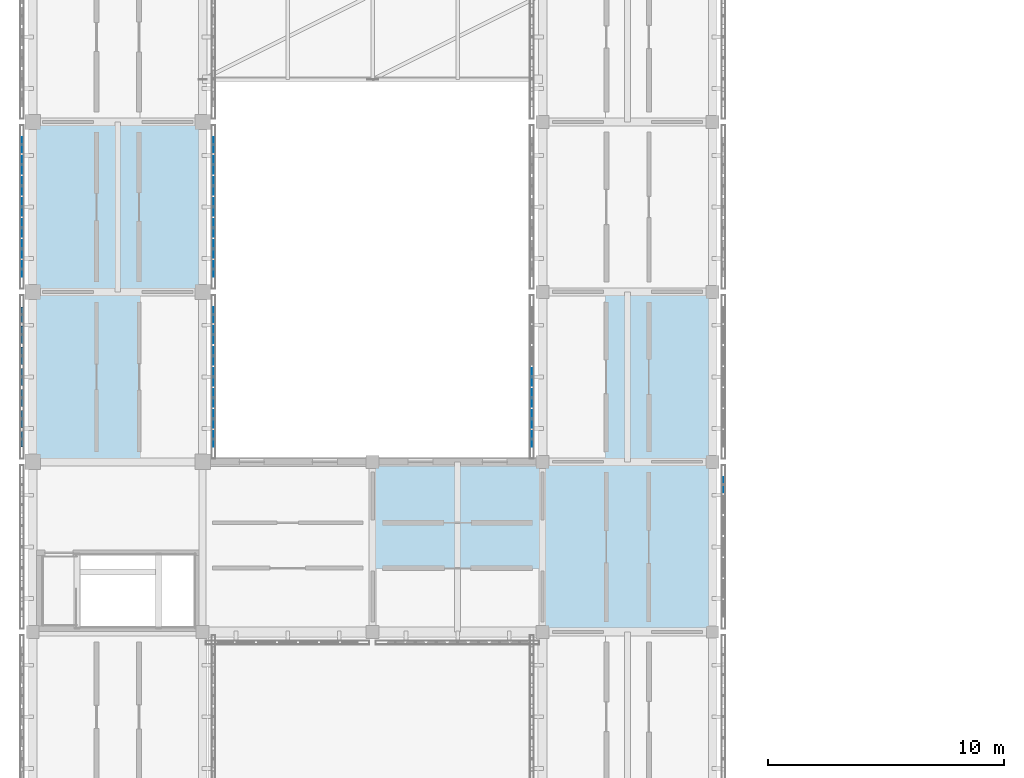
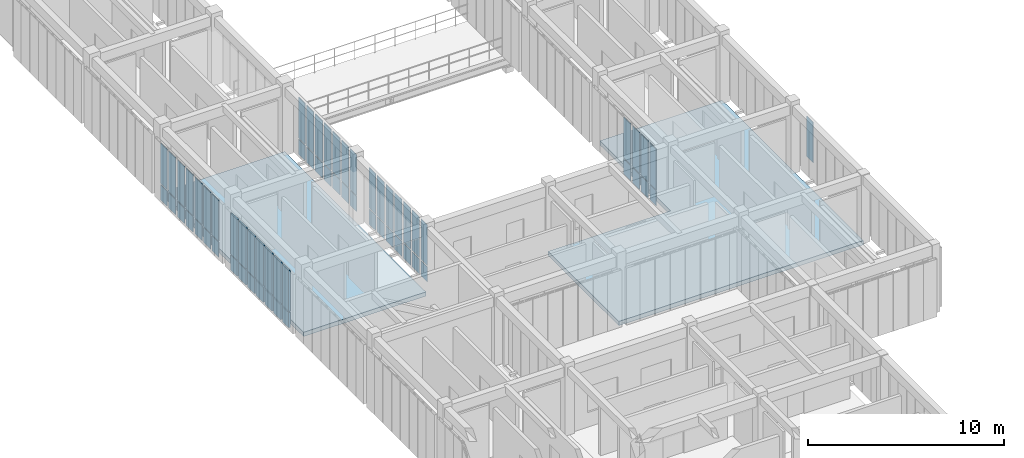
# One storey, part 49 of 91: 65 plates, 2 slabs, 6 elements without a shape of their own.
"""IFC4 building model written with IfcOpenShell, lengths in metres."""

from ifc_helpers import new_model, si_unit, direction, frame, origin, origin_2d, place, context, subcontext, project, spatial, polyline, rectangle, outline, extrude, material, layer, layer_set, type_object, element, aggregate, save


model = new_model("IFC4")

# Units and contexts
model_context = context("Model", 3, precision=1e-05, world=origin(), true_north=direction((0.0, 1.0)))
body_context = subcontext(model_context, "Body", "Model", "MODEL_VIEW")
ifc_project = project(units=[si_unit("LENGTHUNIT", "METRE"), si_unit("AREAUNIT", "SQUARE_METRE"), si_unit("VOLUMEUNIT", "CUBIC_METRE"), si_unit("PLANEANGLEUNIT", "RADIAN"), si_unit("MASSUNIT", "GRAM", prefix="KILO")], contexts=[model_context])

# Site, building, storey
site_placement = place(None, origin())
site = spatial("IfcSite", under=ifc_project, at=site_placement, CompositionType="ELEMENT")
building_placement = place(site_placement, origin())
building = spatial("IfcBuilding", under=site, at=building_placement, Name="Aldebral Square Health Centre", CompositionType="ELEMENT")
storey_placement = place(building_placement, frame((0.0, 0.0, 9.0)))
storey = spatial("IfcBuildingStorey", under=building, at=storey_placement, Name="L02", CompositionType="ELEMENT", Elevation=9.0)

# Curtain wall, plates
ifc_material_1 = material(Name="Aluminium and low-E solar glass", Category="aluminium")
curtain_wall_type = type_object("IfcCurtainWallType", Name="CW-FIN-SYS", PredefinedType="USERDEFINED", material=ifc_material_1)
curtain_wall_1_placement = place(storey_placement, origin())
curtain_wall_1 = element("IfcCurtainWall", 1, at=curtain_wall_1_placement, inside=storey, type_object=curtain_wall_type, Name="L02 V4 finned curtain wall L02-V4-00-09-E", ObjectType="SOLAR_CURTAIN_WALL", PredefinedType="USERDEFINED")
ifc_material_2 = material(Name="Solar-control low-E double glass", Category="glass")
ifc_layer_1 = layer(ifc_material_2, 0.02001953125, Name="Solar-control low-E double glass", Category="glass")
ifc_layer_set_1 = layer_set([ifc_layer_1], Name="Solar-control low-E double glass")
plate_type_1 = type_object("IfcPlateType", Name="CWP-GLZ-1", PredefinedType="CURTAIN_PANEL", material=ifc_layer_set_1)
plate_1_placement = place(storey_placement, frame((7.659912109375, 65.765625, 0.074951171875), z_axis=(0.0, 0.0, 1.0), x_axis=(0.0, 1.0, 0.0)))
plate_1 = element("IfcPlate", 2, at=plate_1_placement, type_object=plate_type_1, Name="CW1 panel 1.1", PredefinedType="CURTAIN_PANEL", context=body_context, shape_type="SweptSolid", body=[
    extrude(rectangle(XDim=0.6513671875, YDim=0.02001953125, at=origin_2d()), origin(), (0.0, 0.0, 1.0), 0.9375),
])
plate_2_placement = place(storey_placement, frame((7.659912109375, 65.765625, 1.08740234375), z_axis=(0.0, 0.0, 1.0), x_axis=(0.0, 1.0, 0.0)))
plate_2 = element("IfcPlate", 3, at=plate_2_placement, type_object=plate_type_1, Name="CW1 panel 1.2", PredefinedType="CURTAIN_PANEL", context=body_context, shape_type="SweptSolid", body=[
    extrude(rectangle(XDim=0.6513671875, YDim=0.02001953125, at=origin_2d()), origin(), (0.0, 0.0, 1.0), 2.527587890625),
])
plate_3_placement = place(storey_placement, frame((7.659912109375, 66.6171875, 0.074951171875), z_axis=(0.0, 0.0, 1.0), x_axis=(0.0, 1.0, 0.0)))
plate_3 = element("IfcPlate", 4, at=plate_3_placement, type_object=plate_type_1, Name="CW1 panel 2.1", PredefinedType="CURTAIN_PANEL", context=body_context, shape_type="SweptSolid", body=[
    extrude(rectangle(XDim=0.7314453125, YDim=0.02001953125, at=origin_2d()), origin(), (0.0, 0.0, 1.0), 0.9375),
])
plate_4_placement = place(storey_placement, frame((7.659912109375, 66.6171875, 1.08740234375), z_axis=(0.0, 0.0, 1.0), x_axis=(0.0, 1.0, 0.0)))
plate_4 = element("IfcPlate", 5, at=plate_4_placement, type_object=plate_type_1, Name="CW1 panel 2.2", PredefinedType="CURTAIN_PANEL", context=body_context, shape_type="SweptSolid", body=[
    extrude(rectangle(XDim=0.7314453125, YDim=0.02001953125, at=origin_2d()), origin(), (0.0, 0.0, 1.0), 2.527587890625),
])
plate_5_placement = place(storey_placement, frame((7.659912109375, 67.508544921875, 0.074951171875), z_axis=(0.0, 0.0, 1.0), x_axis=(0.0, 1.0, 0.0)))
plate_5 = element("IfcPlate", 6, at=plate_5_placement, type_object=plate_type_1, Name="CW1 panel 3.1", PredefinedType="CURTAIN_PANEL", context=body_context, shape_type="SweptSolid", body=[
    extrude(rectangle(XDim=0.7314453125, YDim=0.02001953125, at=origin_2d()), origin(), (0.0, 0.0, 1.0), 0.9375),
])
plate_6_placement = place(storey_placement, frame((7.659912109375, 67.508544921875, 1.08740234375), z_axis=(0.0, 0.0, 1.0), x_axis=(0.0, 1.0, 0.0)))
plate_6 = element("IfcPlate", 7, at=plate_6_placement, type_object=plate_type_1, Name="CW1 panel 3.2", PredefinedType="CURTAIN_PANEL", context=body_context, shape_type="SweptSolid", body=[
    extrude(rectangle(XDim=0.7314453125, YDim=0.02001953125, at=origin_2d()), origin(), (0.0, 0.0, 1.0), 2.527587890625),
])
plate_7_placement = place(storey_placement, frame((7.659912109375, 68.39990234375, 0.074951171875), z_axis=(0.0, 0.0, 1.0), x_axis=(0.0, 1.0, 0.0)))
plate_7 = element("IfcPlate", 8, at=plate_7_placement, type_object=plate_type_1, Name="CW1 panel 4.1", PredefinedType="CURTAIN_PANEL", context=body_context, shape_type="SweptSolid", body=[
    extrude(rectangle(XDim=0.7314453125, YDim=0.02001953125, at=origin_2d()), origin(), (0.0, 0.0, 1.0), 0.9375),
])
plate_8_placement = place(storey_placement, frame((7.659912109375, 68.39990234375, 1.08740234375), z_axis=(0.0, 0.0, 1.0), x_axis=(0.0, 1.0, 0.0)))
plate_8 = element("IfcPlate", 9, at=plate_8_placement, type_object=plate_type_1, Name="CW1 panel 4.2", PredefinedType="CURTAIN_PANEL", context=body_context, shape_type="SweptSolid", body=[
    extrude(rectangle(XDim=0.7314453125, YDim=0.02001953125, at=origin_2d()), origin(), (0.0, 0.0, 1.0), 2.527587890625),
])
plate_9_placement = place(storey_placement, frame((7.659912109375, 69.29150390625, 0.074951171875), z_axis=(0.0, 0.0, 1.0), x_axis=(0.0, 1.0, 0.0)))
plate_9 = element("IfcPlate", 10, at=plate_9_placement, type_object=plate_type_1, Name="CW1 panel 5.1", PredefinedType="CURTAIN_PANEL", context=body_context, shape_type="SweptSolid", body=[
    extrude(rectangle(XDim=0.7314453125, YDim=0.02001953125, at=origin_2d()), origin(), (0.0, 0.0, 1.0), 0.9375),
])
plate_10_placement = place(storey_placement, frame((7.659912109375, 69.29150390625, 1.08740234375), z_axis=(0.0, 0.0, 1.0), x_axis=(0.0, 1.0, 0.0)))
plate_10 = element("IfcPlate", 11, at=plate_10_placement, type_object=plate_type_1, Name="CW1 panel 5.2", PredefinedType="CURTAIN_PANEL", context=body_context, shape_type="SweptSolid", body=[
    extrude(rectangle(XDim=0.7314453125, YDim=0.02001953125, at=origin_2d()), origin(), (0.0, 0.0, 1.0), 2.527587890625),
])
plate_11_placement = place(storey_placement, frame((7.659912109375, 70.182861328125, 0.074951171875), z_axis=(0.0, 0.0, 1.0), x_axis=(0.0, 1.0, 0.0)))
plate_11 = element("IfcPlate", 12, at=plate_11_placement, type_object=plate_type_1, Name="CW1 panel 6.1", PredefinedType="CURTAIN_PANEL", context=body_context, shape_type="SweptSolid", body=[
    extrude(rectangle(XDim=0.7314453125, YDim=0.02001953125, at=origin_2d()), origin(), (0.0, 0.0, 1.0), 0.9375),
])
plate_12_placement = place(storey_placement, frame((7.659912109375, 70.182861328125, 1.08740234375), z_axis=(0.0, 0.0, 1.0), x_axis=(0.0, 1.0, 0.0)))
plate_12 = element("IfcPlate", 13, at=plate_12_placement, type_object=plate_type_1, Name="CW1 panel 6.2", PredefinedType="CURTAIN_PANEL", context=body_context, shape_type="SweptSolid", body=[
    extrude(rectangle(XDim=0.7314453125, YDim=0.02001953125, at=origin_2d()), origin(), (0.0, 0.0, 1.0), 2.527587890625),
])
plate_13_placement = place(storey_placement, frame((7.659912109375, 71.0341796875, 0.074951171875), z_axis=(0.0, 0.0, 1.0), x_axis=(0.0, 1.0, 0.0)))
plate_13 = element("IfcPlate", 14, at=plate_13_placement, type_object=plate_type_1, Name="CW1 panel 7.1", PredefinedType="CURTAIN_PANEL", context=body_context, shape_type="SweptSolid", body=[
    extrude(rectangle(XDim=0.6513671875, YDim=0.02001953125, at=origin_2d()), origin(), (0.0, 0.0, 1.0), 0.9375),
])
plate_14_placement = place(storey_placement, frame((7.659912109375, 71.0341796875, 1.08740234375), z_axis=(0.0, 0.0, 1.0), x_axis=(0.0, 1.0, 0.0)))
plate_14 = element("IfcPlate", 15, at=plate_14_placement, type_object=plate_type_1, Name="CW1 panel 7.2", PredefinedType="CURTAIN_PANEL", context=body_context, shape_type="SweptSolid", body=[
    extrude(rectangle(XDim=0.6513671875, YDim=0.02001953125, at=origin_2d()), origin(), (0.0, 0.0, 1.0), 2.527587890625),
])
aggregate(curtain_wall_1, [plate_1, plate_2, plate_3, plate_4, plate_5, plate_6, plate_7, plate_8, plate_9, plate_10, plate_11, plate_12, plate_13, plate_14])

# Curtain wall, plate
curtain_wall_2_placement = place(storey_placement, origin())
curtain_wall_2 = element("IfcCurtainWall", 16, at=curtain_wall_2_placement, inside=storey, type_object=curtain_wall_type, Name="L02 V4 finned curtain wall L02-V4-03-08-E", ObjectType="SOLAR_CURTAIN_WALL", PredefinedType="USERDEFINED")
plate_15_placement = place(storey_placement, frame((29.260009765625, 63.834228515625, 1.08740234375), z_axis=(0.0, 0.0, 1.0), x_axis=(0.0, 1.0, 0.0)))
plate_15 = element("IfcPlate", 17, at=plate_15_placement, type_object=plate_type_1, Name="CW1 panel 7.2", PredefinedType="CURTAIN_PANEL", context=body_context, shape_type="SweptSolid", body=[
    extrude(rectangle(XDim=0.6513671875, YDim=0.02001953125, at=origin_2d()), origin(), (0.0, 0.0, 1.0), 2.527587890625),
])
aggregate(curtain_wall_2, [plate_15])

# Curtain wall, plates
curtain_wall_3_placement = place(storey_placement, origin())
curtain_wall_3 = element("IfcCurtainWall", 18, at=curtain_wall_3_placement, inside=storey, type_object=curtain_wall_type, Name="L02 V4 finned curtain wall L02-V4-00-10-W", ObjectType="SOLAR_CURTAIN_WALL", PredefinedType="USERDEFINED")
ifc_layer_2 = layer(ifc_material_2, 0.030029296875, Name="Solar-control low-E double glass", Category="glass")
ifc_layer_set_2 = layer_set([ifc_layer_2], Name="Solar-control low-E double glass")
plate_type_2 = type_object("IfcPlateType", Name="CWP-GLZ-2", PredefinedType="CURTAIN_PANEL", material=ifc_layer_set_2)
plate_16_placement = place(storey_placement, frame((-0.4599609375, 78.234375, 0.074951171875), z_axis=(0.0, 0.0, 1.0), x_axis=(0.0, -1.0, 0.0)))
plate_16 = element("IfcPlate", 19, at=plate_16_placement, type_object=plate_type_2, Name="CW1 panel 1.1", PredefinedType="CURTAIN_PANEL", context=body_context, shape_type="SweptSolid", body=[
    extrude(rectangle(XDim=0.6513671875, YDim=0.030029296875, at=origin_2d()), origin(), (0.0, 0.0, 1.0), 0.9375),
])
plate_17_placement = place(storey_placement, frame((-0.4599609375, 78.234375, 1.08740234375), z_axis=(0.0, 0.0, 1.0), x_axis=(0.0, -1.0, 0.0)))
plate_17 = element("IfcPlate", 20, at=plate_17_placement, type_object=plate_type_2, Name="CW1 panel 1.2", PredefinedType="CURTAIN_PANEL", context=body_context, shape_type="SweptSolid", body=[
    extrude(rectangle(XDim=0.6513671875, YDim=0.030029296875, at=origin_2d()), origin(), (0.0, 0.0, 1.0), 2.527587890625),
])
plate_18_placement = place(storey_placement, frame((-0.4599609375, 77.3828125, 0.074951171875), z_axis=(0.0, 0.0, 1.0), x_axis=(0.0, -1.0, 0.0)))
plate_18 = element("IfcPlate", 21, at=plate_18_placement, type_object=plate_type_2, Name="CW1 panel 2.1", PredefinedType="CURTAIN_PANEL", context=body_context, shape_type="SweptSolid", body=[
    extrude(rectangle(XDim=0.7314453125, YDim=0.030029296875, at=origin_2d()), origin(), (0.0, 0.0, 1.0), 0.9375),
])
plate_19_placement = place(storey_placement, frame((-0.4599609375, 77.3828125, 1.08740234375), z_axis=(0.0, 0.0, 1.0), x_axis=(0.0, -1.0, 0.0)))
plate_19 = element("IfcPlate", 22, at=plate_19_placement, type_object=plate_type_2, Name="CW1 panel 2.2", PredefinedType="CURTAIN_PANEL", context=body_context, shape_type="SweptSolid", body=[
    extrude(rectangle(XDim=0.7314453125, YDim=0.030029296875, at=origin_2d()), origin(), (0.0, 0.0, 1.0), 2.527587890625),
])
plate_20_placement = place(storey_placement, frame((-0.4599609375, 76.491455078125, 0.074951171875), z_axis=(0.0, 0.0, 1.0), x_axis=(0.0, -1.0, 0.0)))
plate_20 = element("IfcPlate", 23, at=plate_20_placement, type_object=plate_type_2, Name="CW1 panel 3.1", PredefinedType="CURTAIN_PANEL", context=body_context, shape_type="SweptSolid", body=[
    extrude(rectangle(XDim=0.7314453125, YDim=0.030029296875, at=origin_2d()), origin(), (0.0, 0.0, 1.0), 0.9375),
])
plate_21_placement = place(storey_placement, frame((-0.4599609375, 76.491455078125, 1.08740234375), z_axis=(0.0, 0.0, 1.0), x_axis=(0.0, -1.0, 0.0)))
plate_21 = element("IfcPlate", 24, at=plate_21_placement, type_object=plate_type_2, Name="CW1 panel 3.2", PredefinedType="CURTAIN_PANEL", context=body_context, shape_type="SweptSolid", body=[
    extrude(rectangle(XDim=0.7314453125, YDim=0.030029296875, at=origin_2d()), origin(), (0.0, 0.0, 1.0), 2.527587890625),
])
plate_22_placement = place(storey_placement, frame((-0.4599609375, 75.60009765625, 0.074951171875), z_axis=(0.0, 0.0, 1.0), x_axis=(0.0, -1.0, 0.0)))
plate_22 = element("IfcPlate", 25, at=plate_22_placement, type_object=plate_type_2, Name="CW1 panel 4.1", PredefinedType="CURTAIN_PANEL", context=body_context, shape_type="SweptSolid", body=[
    extrude(rectangle(XDim=0.7314453125, YDim=0.030029296875, at=origin_2d()), origin(), (0.0, 0.0, 1.0), 0.9375),
])
plate_23_placement = place(storey_placement, frame((-0.4599609375, 75.60009765625, 1.08740234375), z_axis=(0.0, 0.0, 1.0), x_axis=(0.0, -1.0, 0.0)))
plate_23 = element("IfcPlate", 26, at=plate_23_placement, type_object=plate_type_2, Name="CW1 panel 4.2", PredefinedType="CURTAIN_PANEL", context=body_context, shape_type="SweptSolid", body=[
    extrude(rectangle(XDim=0.7314453125, YDim=0.030029296875, at=origin_2d()), origin(), (0.0, 0.0, 1.0), 2.527587890625),
])
plate_24_placement = place(storey_placement, frame((-0.4599609375, 74.70849609375, 0.074951171875), z_axis=(0.0, 0.0, 1.0), x_axis=(0.0, -1.0, 0.0)))
plate_24 = element("IfcPlate", 27, at=plate_24_placement, type_object=plate_type_2, Name="CW1 panel 5.1", PredefinedType="CURTAIN_PANEL", context=body_context, shape_type="SweptSolid", body=[
    extrude(rectangle(XDim=0.7314453125, YDim=0.030029296875, at=origin_2d()), origin(), (0.0, 0.0, 1.0), 0.9375),
])
plate_25_placement = place(storey_placement, frame((-0.4599609375, 74.70849609375, 1.08740234375), z_axis=(0.0, 0.0, 1.0), x_axis=(0.0, -1.0, 0.0)))
plate_25 = element("IfcPlate", 28, at=plate_25_placement, type_object=plate_type_2, Name="CW1 panel 5.2", PredefinedType="CURTAIN_PANEL", context=body_context, shape_type="SweptSolid", body=[
    extrude(rectangle(XDim=0.7314453125, YDim=0.030029296875, at=origin_2d()), origin(), (0.0, 0.0, 1.0), 2.527587890625),
])
plate_26_placement = place(storey_placement, frame((-0.4599609375, 73.817138671875, 0.074951171875), z_axis=(0.0, 0.0, 1.0), x_axis=(0.0, -1.0, 0.0)))
plate_26 = element("IfcPlate", 29, at=plate_26_placement, type_object=plate_type_2, Name="CW1 panel 6.1", PredefinedType="CURTAIN_PANEL", context=body_context, shape_type="SweptSolid", body=[
    extrude(rectangle(XDim=0.7314453125, YDim=0.030029296875, at=origin_2d()), origin(), (0.0, 0.0, 1.0), 0.9375),
])
plate_27_placement = place(storey_placement, frame((-0.4599609375, 73.817138671875, 1.08740234375), z_axis=(0.0, 0.0, 1.0), x_axis=(0.0, -1.0, 0.0)))
plate_27 = element("IfcPlate", 30, at=plate_27_placement, type_object=plate_type_2, Name="CW1 panel 6.2", PredefinedType="CURTAIN_PANEL", context=body_context, shape_type="SweptSolid", body=[
    extrude(rectangle(XDim=0.7314453125, YDim=0.030029296875, at=origin_2d()), origin(), (0.0, 0.0, 1.0), 2.527587890625),
])
plate_28_placement = place(storey_placement, frame((-0.4599609375, 72.9658203125, 0.074951171875), z_axis=(0.0, 0.0, 1.0), x_axis=(0.0, -1.0, 0.0)))
plate_28 = element("IfcPlate", 31, at=plate_28_placement, type_object=plate_type_2, Name="CW1 panel 7.1", PredefinedType="CURTAIN_PANEL", context=body_context, shape_type="SweptSolid", body=[
    extrude(rectangle(XDim=0.6513671875, YDim=0.030029296875, at=origin_2d()), origin(), (0.0, 0.0, 1.0), 0.9375),
])
plate_29_placement = place(storey_placement, frame((-0.4599609375, 72.9658203125, 1.08740234375), z_axis=(0.0, 0.0, 1.0), x_axis=(0.0, -1.0, 0.0)))
plate_29 = element("IfcPlate", 32, at=plate_29_placement, type_object=plate_type_2, Name="CW1 panel 7.2", PredefinedType="CURTAIN_PANEL", context=body_context, shape_type="SweptSolid", body=[
    extrude(rectangle(XDim=0.6513671875, YDim=0.030029296875, at=origin_2d()), origin(), (0.0, 0.0, 1.0), 2.527587890625),
])
aggregate(curtain_wall_3, [plate_16, plate_17, plate_18, plate_19, plate_20, plate_21, plate_22, plate_23, plate_24, plate_25, plate_26, plate_27, plate_28, plate_29])

curtain_wall_4_placement = place(storey_placement, origin())
curtain_wall_4 = element("IfcCurtainWall", 33, at=curtain_wall_4_placement, inside=storey, type_object=curtain_wall_type, Name="L02 V4 finned curtain wall L02-V4-03-09-W", ObjectType="SOLAR_CURTAIN_WALL", PredefinedType="USERDEFINED")
plate_30_placement = place(storey_placement, frame((21.139892578125, 68.39990234375, 0.074951171875), z_axis=(0.0, 0.0, 1.0), x_axis=(0.0, -1.0, 0.0)))
plate_30 = element("IfcPlate", 34, at=plate_30_placement, type_object=plate_type_2, Name="CW1 panel 4.1", PredefinedType="CURTAIN_PANEL", context=body_context, shape_type="SweptSolid", body=[
    extrude(rectangle(XDim=0.7314453125, YDim=0.030029296875, at=origin_2d()), origin(), (0.0, 0.0, 1.0), 0.9375),
])
plate_31_placement = place(storey_placement, frame((21.139892578125, 68.39990234375, 1.08740234375), z_axis=(0.0, 0.0, 1.0), x_axis=(0.0, -1.0, 0.0)))
plate_31 = element("IfcPlate", 35, at=plate_31_placement, type_object=plate_type_2, Name="CW1 panel 4.2", PredefinedType="CURTAIN_PANEL", context=body_context, shape_type="SweptSolid", body=[
    extrude(rectangle(XDim=0.7314453125, YDim=0.030029296875, at=origin_2d()), origin(), (0.0, 0.0, 1.0), 2.527587890625),
])
plate_32_placement = place(storey_placement, frame((21.139892578125, 67.508544921875, 0.074951171875), z_axis=(0.0, 0.0, 1.0), x_axis=(0.0, -1.0, 0.0)))
plate_32 = element("IfcPlate", 36, at=plate_32_placement, type_object=plate_type_2, Name="CW1 panel 5.1", PredefinedType="CURTAIN_PANEL", context=body_context, shape_type="SweptSolid", body=[
    extrude(rectangle(XDim=0.7314453125, YDim=0.030029296875, at=origin_2d()), origin(), (0.0, 0.0, 1.0), 0.9375),
])
plate_33_placement = place(storey_placement, frame((21.139892578125, 67.508544921875, 1.08740234375), z_axis=(0.0, 0.0, 1.0), x_axis=(0.0, -1.0, 0.0)))
plate_33 = element("IfcPlate", 37, at=plate_33_placement, type_object=plate_type_2, Name="CW1 panel 5.2", PredefinedType="CURTAIN_PANEL", context=body_context, shape_type="SweptSolid", body=[
    extrude(rectangle(XDim=0.7314453125, YDim=0.030029296875, at=origin_2d()), origin(), (0.0, 0.0, 1.0), 2.527587890625),
])
plate_34_placement = place(storey_placement, frame((21.139892578125, 66.6171875, 0.074951171875), z_axis=(0.0, 0.0, 1.0), x_axis=(0.0, -1.0, 0.0)))
plate_34 = element("IfcPlate", 38, at=plate_34_placement, type_object=plate_type_2, Name="CW1 panel 6.1", PredefinedType="CURTAIN_PANEL", context=body_context, shape_type="SweptSolid", body=[
    extrude(rectangle(XDim=0.7314453125, YDim=0.030029296875, at=origin_2d()), origin(), (0.0, 0.0, 1.0), 0.9375),
])
plate_35_placement = place(storey_placement, frame((21.139892578125, 66.6171875, 1.08740234375), z_axis=(0.0, 0.0, 1.0), x_axis=(0.0, -1.0, 0.0)))
plate_35 = element("IfcPlate", 39, at=plate_35_placement, type_object=plate_type_2, Name="CW1 panel 6.2", PredefinedType="CURTAIN_PANEL", context=body_context, shape_type="SweptSolid", body=[
    extrude(rectangle(XDim=0.7314453125, YDim=0.030029296875, at=origin_2d()), origin(), (0.0, 0.0, 1.0), 2.527587890625),
])
plate_36_placement = place(storey_placement, frame((21.139892578125, 65.765625, 0.074951171875), z_axis=(0.0, 0.0, 1.0), x_axis=(0.0, -1.0, 0.0)))
plate_36 = element("IfcPlate", 40, at=plate_36_placement, type_object=plate_type_2, Name="CW1 panel 7.1", PredefinedType="CURTAIN_PANEL", context=body_context, shape_type="SweptSolid", body=[
    extrude(rectangle(XDim=0.6513671875, YDim=0.030029296875, at=origin_2d()), origin(), (0.0, 0.0, 1.0), 0.9375),
])
plate_37_placement = place(storey_placement, frame((21.139892578125, 65.765625, 1.08740234375), z_axis=(0.0, 0.0, 1.0), x_axis=(0.0, -1.0, 0.0)))
plate_37 = element("IfcPlate", 41, at=plate_37_placement, type_object=plate_type_2, Name="CW1 panel 7.2", PredefinedType="CURTAIN_PANEL", context=body_context, shape_type="SweptSolid", body=[
    extrude(rectangle(XDim=0.6513671875, YDim=0.030029296875, at=origin_2d()), origin(), (0.0, 0.0, 1.0), 2.527587890625),
])
aggregate(curtain_wall_4, [plate_30, plate_31, plate_32, plate_33, plate_34, plate_35, plate_36, plate_37])

curtain_wall_5_placement = place(storey_placement, origin())
curtain_wall_5 = element("IfcCurtainWall", 42, at=curtain_wall_5_placement, inside=storey, type_object=curtain_wall_type, Name="L02 V4 finned curtain wall L02-V4-00-10-E", ObjectType="SOLAR_CURTAIN_WALL", PredefinedType="USERDEFINED")
ifc_layer_3 = layer(ifc_material_2, 0.0400390625, Name="Solar-control low-E double glass", Category="glass")
ifc_layer_set_3 = layer_set([ifc_layer_3], Name="Solar-control low-E double glass")
plate_type_3 = type_object("IfcPlateType", Name="CWP-GLZ-3", PredefinedType="CURTAIN_PANEL", material=ifc_layer_set_3)
plate_38_placement = place(storey_placement, frame((7.659912109375, 72.9658203125, 0.074951171875), z_axis=(0.0, 0.0, 1.0), x_axis=(0.0, 1.0, 0.0)))
plate_38 = element("IfcPlate", 43, at=plate_38_placement, type_object=plate_type_3, Name="CW1 panel 1.1", PredefinedType="CURTAIN_PANEL", context=body_context, shape_type="SweptSolid", body=[
    extrude(rectangle(XDim=0.6513671875, YDim=0.0400390625, at=origin_2d()), origin(), (0.0, 0.0, 1.0), 0.9375),
])
plate_39_placement = place(storey_placement, frame((7.659912109375, 72.9658203125, 1.08740234375), z_axis=(0.0, 0.0, 1.0), x_axis=(0.0, 1.0, 0.0)))
plate_39 = element("IfcPlate", 44, at=plate_39_placement, type_object=plate_type_3, Name="CW1 panel 1.2", PredefinedType="CURTAIN_PANEL", context=body_context, shape_type="SweptSolid", body=[
    extrude(rectangle(XDim=0.6513671875, YDim=0.0400390625, at=origin_2d()), origin(), (0.0, 0.0, 1.0), 2.527587890625),
])
plate_40_placement = place(storey_placement, frame((7.659912109375, 73.817138671875, 0.074951171875), z_axis=(0.0, 0.0, 1.0), x_axis=(0.0, 1.0, 0.0)))
plate_40 = element("IfcPlate", 45, at=plate_40_placement, type_object=plate_type_3, Name="CW1 panel 2.1", PredefinedType="CURTAIN_PANEL", context=body_context, shape_type="SweptSolid", body=[
    extrude(rectangle(XDim=0.7314453125, YDim=0.0400390625, at=origin_2d()), origin(), (0.0, 0.0, 1.0), 0.9375),
])
plate_41_placement = place(storey_placement, frame((7.659912109375, 73.817138671875, 1.08740234375), z_axis=(0.0, 0.0, 1.0), x_axis=(0.0, 1.0, 0.0)))
plate_41 = element("IfcPlate", 46, at=plate_41_placement, type_object=plate_type_3, Name="CW1 panel 2.2", PredefinedType="CURTAIN_PANEL", context=body_context, shape_type="SweptSolid", body=[
    extrude(rectangle(XDim=0.7314453125, YDim=0.0400390625, at=origin_2d()), origin(), (0.0, 0.0, 1.0), 2.527587890625),
])
plate_42_placement = place(storey_placement, frame((7.659912109375, 74.70849609375, 0.074951171875), z_axis=(0.0, 0.0, 1.0), x_axis=(0.0, 1.0, 0.0)))
plate_42 = element("IfcPlate", 47, at=plate_42_placement, type_object=plate_type_3, Name="CW1 panel 3.1", PredefinedType="CURTAIN_PANEL", context=body_context, shape_type="SweptSolid", body=[
    extrude(rectangle(XDim=0.7314453125, YDim=0.0400390625, at=origin_2d()), origin(), (0.0, 0.0, 1.0), 0.9375),
])
plate_43_placement = place(storey_placement, frame((7.659912109375, 74.70849609375, 1.08740234375), z_axis=(0.0, 0.0, 1.0), x_axis=(0.0, 1.0, 0.0)))
plate_43 = element("IfcPlate", 48, at=plate_43_placement, type_object=plate_type_3, Name="CW1 panel 3.2", PredefinedType="CURTAIN_PANEL", context=body_context, shape_type="SweptSolid", body=[
    extrude(rectangle(XDim=0.7314453125, YDim=0.0400390625, at=origin_2d()), origin(), (0.0, 0.0, 1.0), 2.527587890625),
])
plate_44_placement = place(storey_placement, frame((7.659912109375, 75.60009765625, 0.074951171875), z_axis=(0.0, 0.0, 1.0), x_axis=(0.0, 1.0, 0.0)))
plate_44 = element("IfcPlate", 49, at=plate_44_placement, type_object=plate_type_3, Name="CW1 panel 4.1", PredefinedType="CURTAIN_PANEL", context=body_context, shape_type="SweptSolid", body=[
    extrude(rectangle(XDim=0.7314453125, YDim=0.0400390625, at=origin_2d()), origin(), (0.0, 0.0, 1.0), 0.9375),
])
plate_45_placement = place(storey_placement, frame((7.659912109375, 75.60009765625, 1.08740234375), z_axis=(0.0, 0.0, 1.0), x_axis=(0.0, 1.0, 0.0)))
plate_45 = element("IfcPlate", 50, at=plate_45_placement, type_object=plate_type_3, Name="CW1 panel 4.2", PredefinedType="CURTAIN_PANEL", context=body_context, shape_type="SweptSolid", body=[
    extrude(rectangle(XDim=0.7314453125, YDim=0.0400390625, at=origin_2d()), origin(), (0.0, 0.0, 1.0), 2.527587890625),
])
plate_46_placement = place(storey_placement, frame((7.659912109375, 76.491455078125, 0.074951171875), z_axis=(0.0, 0.0, 1.0), x_axis=(0.0, 1.0, 0.0)))
plate_46 = element("IfcPlate", 51, at=plate_46_placement, type_object=plate_type_3, Name="CW1 panel 5.1", PredefinedType="CURTAIN_PANEL", context=body_context, shape_type="SweptSolid", body=[
    extrude(rectangle(XDim=0.7314453125, YDim=0.0400390625, at=origin_2d()), origin(), (0.0, 0.0, 1.0), 0.9375),
])
plate_47_placement = place(storey_placement, frame((7.659912109375, 76.491455078125, 1.08740234375), z_axis=(0.0, 0.0, 1.0), x_axis=(0.0, 1.0, 0.0)))
plate_47 = element("IfcPlate", 52, at=plate_47_placement, type_object=plate_type_3, Name="CW1 panel 5.2", PredefinedType="CURTAIN_PANEL", context=body_context, shape_type="SweptSolid", body=[
    extrude(rectangle(XDim=0.7314453125, YDim=0.0400390625, at=origin_2d()), origin(), (0.0, 0.0, 1.0), 2.527587890625),
])
plate_48_placement = place(storey_placement, frame((7.659912109375, 77.3828125, 0.074951171875), z_axis=(0.0, 0.0, 1.0), x_axis=(0.0, 1.0, 0.0)))
plate_48 = element("IfcPlate", 53, at=plate_48_placement, type_object=plate_type_3, Name="CW1 panel 6.1", PredefinedType="CURTAIN_PANEL", context=body_context, shape_type="SweptSolid", body=[
    extrude(rectangle(XDim=0.7314453125, YDim=0.0400390625, at=origin_2d()), origin(), (0.0, 0.0, 1.0), 0.9375),
])
plate_49_placement = place(storey_placement, frame((7.659912109375, 77.3828125, 1.08740234375), z_axis=(0.0, 0.0, 1.0), x_axis=(0.0, 1.0, 0.0)))
plate_49 = element("IfcPlate", 54, at=plate_49_placement, type_object=plate_type_3, Name="CW1 panel 6.2", PredefinedType="CURTAIN_PANEL", context=body_context, shape_type="SweptSolid", body=[
    extrude(rectangle(XDim=0.7314453125, YDim=0.0400390625, at=origin_2d()), origin(), (0.0, 0.0, 1.0), 2.527587890625),
])
plate_50_placement = place(storey_placement, frame((7.659912109375, 78.234375, 0.074951171875), z_axis=(0.0, 0.0, 1.0), x_axis=(0.0, 1.0, 0.0)))
plate_50 = element("IfcPlate", 55, at=plate_50_placement, type_object=plate_type_3, Name="CW1 panel 7.1", PredefinedType="CURTAIN_PANEL", context=body_context, shape_type="SweptSolid", body=[
    extrude(rectangle(XDim=0.6513671875, YDim=0.0400390625, at=origin_2d()), origin(), (0.0, 0.0, 1.0), 0.9375),
])
plate_51_placement = place(storey_placement, frame((7.659912109375, 78.234375, 1.08740234375), z_axis=(0.0, 0.0, 1.0), x_axis=(0.0, 1.0, 0.0)))
plate_51 = element("IfcPlate", 56, at=plate_51_placement, type_object=plate_type_3, Name="CW1 panel 7.2", PredefinedType="CURTAIN_PANEL", context=body_context, shape_type="SweptSolid", body=[
    extrude(rectangle(XDim=0.6513671875, YDim=0.0400390625, at=origin_2d()), origin(), (0.0, 0.0, 1.0), 2.527587890625),
])
aggregate(curtain_wall_5, [plate_38, plate_39, plate_40, plate_41, plate_42, plate_43, plate_44, plate_45, plate_46, plate_47, plate_48, plate_49, plate_50, plate_51])

curtain_wall_6_placement = place(storey_placement, origin())
curtain_wall_6 = element("IfcCurtainWall", 57, at=curtain_wall_6_placement, inside=storey, type_object=curtain_wall_type, Name="L02 V4 finned curtain wall L02-V4-00-09-W", ObjectType="SOLAR_CURTAIN_WALL", PredefinedType="USERDEFINED")
ifc_layer_4 = layer(ifc_material_2, 0.090087890625, Name="Solar-control low-E double glass", Category="glass")
ifc_layer_set_4 = layer_set([ifc_layer_4], Name="Solar-control low-E double glass")
plate_type_4 = type_object("IfcPlateType", Name="CWP-GLZ-8", PredefinedType="CURTAIN_PANEL", material=ifc_layer_set_4)
plate_52_placement = place(storey_placement, frame((-0.4599609375, 71.0341796875, 0.074951171875), z_axis=(0.0, 0.0, 1.0), x_axis=(0.0, -1.0, 0.0)))
plate_52 = element("IfcPlate", 58, at=plate_52_placement, type_object=plate_type_4, Name="CW1 panel 1.1", PredefinedType="CURTAIN_PANEL", context=body_context, shape_type="SweptSolid", body=[
    extrude(rectangle(XDim=0.6513671875, YDim=0.090087890625, at=origin_2d()), origin(), (0.0, 0.0, 1.0), 0.9375),
])
plate_53_placement = place(storey_placement, frame((-0.4599609375, 71.0341796875, 1.08740234375), z_axis=(0.0, 0.0, 1.0), x_axis=(0.0, -1.0, 0.0)))
plate_53 = element("IfcPlate", 59, at=plate_53_placement, type_object=plate_type_4, Name="CW1 panel 1.2", PredefinedType="CURTAIN_PANEL", context=body_context, shape_type="SweptSolid", body=[
    extrude(rectangle(XDim=0.6513671875, YDim=0.090087890625, at=origin_2d()), origin(), (0.0, 0.0, 1.0), 2.527587890625),
])
plate_54_placement = place(storey_placement, frame((-0.4599609375, 70.182861328125, 0.074951171875), z_axis=(0.0, 0.0, 1.0), x_axis=(0.0, -1.0, 0.0)))
plate_54 = element("IfcPlate", 60, at=plate_54_placement, type_object=plate_type_4, Name="CW1 panel 2.1", PredefinedType="CURTAIN_PANEL", context=body_context, shape_type="SweptSolid", body=[
    extrude(rectangle(XDim=0.7314453125, YDim=0.090087890625, at=origin_2d()), origin(), (0.0, 0.0, 1.0), 0.9375),
])
plate_55_placement = place(storey_placement, frame((-0.4599609375, 70.182861328125, 1.08740234375), z_axis=(0.0, 0.0, 1.0), x_axis=(0.0, -1.0, 0.0)))
plate_55 = element("IfcPlate", 61, at=plate_55_placement, type_object=plate_type_4, Name="CW1 panel 2.2", PredefinedType="CURTAIN_PANEL", context=body_context, shape_type="SweptSolid", body=[
    extrude(rectangle(XDim=0.7314453125, YDim=0.090087890625, at=origin_2d()), origin(), (0.0, 0.0, 1.0), 2.527587890625),
])
plate_56_placement = place(storey_placement, frame((-0.4599609375, 69.29150390625, 0.074951171875), z_axis=(0.0, 0.0, 1.0), x_axis=(0.0, -1.0, 0.0)))
plate_56 = element("IfcPlate", 62, at=plate_56_placement, type_object=plate_type_4, Name="CW1 panel 3.1", PredefinedType="CURTAIN_PANEL", context=body_context, shape_type="SweptSolid", body=[
    extrude(rectangle(XDim=0.7314453125, YDim=0.090087890625, at=origin_2d()), origin(), (0.0, 0.0, 1.0), 0.9375),
])
plate_57_placement = place(storey_placement, frame((-0.4599609375, 69.29150390625, 1.08740234375), z_axis=(0.0, 0.0, 1.0), x_axis=(0.0, -1.0, 0.0)))
plate_57 = element("IfcPlate", 63, at=plate_57_placement, type_object=plate_type_4, Name="CW1 panel 3.2", PredefinedType="CURTAIN_PANEL", context=body_context, shape_type="SweptSolid", body=[
    extrude(rectangle(XDim=0.7314453125, YDim=0.090087890625, at=origin_2d()), origin(), (0.0, 0.0, 1.0), 2.527587890625),
])
plate_58_placement = place(storey_placement, frame((-0.4599609375, 68.39990234375, 0.074951171875), z_axis=(0.0, 0.0, 1.0), x_axis=(0.0, -1.0, 0.0)))
plate_58 = element("IfcPlate", 64, at=plate_58_placement, type_object=plate_type_4, Name="CW1 panel 4.1", PredefinedType="CURTAIN_PANEL", context=body_context, shape_type="SweptSolid", body=[
    extrude(rectangle(XDim=0.7314453125, YDim=0.090087890625, at=origin_2d()), origin(), (0.0, 0.0, 1.0), 0.9375),
])
plate_59_placement = place(storey_placement, frame((-0.4599609375, 68.39990234375, 1.08740234375), z_axis=(0.0, 0.0, 1.0), x_axis=(0.0, -1.0, 0.0)))
plate_59 = element("IfcPlate", 65, at=plate_59_placement, type_object=plate_type_4, Name="CW1 panel 4.2", PredefinedType="CURTAIN_PANEL", context=body_context, shape_type="SweptSolid", body=[
    extrude(rectangle(XDim=0.7314453125, YDim=0.090087890625, at=origin_2d()), origin(), (0.0, 0.0, 1.0), 2.527587890625),
])
plate_60_placement = place(storey_placement, frame((-0.4599609375, 67.508544921875, 0.074951171875), z_axis=(0.0, 0.0, 1.0), x_axis=(0.0, -1.0, 0.0)))
plate_60 = element("IfcPlate", 66, at=plate_60_placement, type_object=plate_type_4, Name="CW1 panel 5.1", PredefinedType="CURTAIN_PANEL", context=body_context, shape_type="SweptSolid", body=[
    extrude(rectangle(XDim=0.7314453125, YDim=0.090087890625, at=origin_2d()), origin(), (0.0, 0.0, 1.0), 0.9375),
])
plate_61_placement = place(storey_placement, frame((-0.4599609375, 67.508544921875, 1.08740234375), z_axis=(0.0, 0.0, 1.0), x_axis=(0.0, -1.0, 0.0)))
plate_61 = element("IfcPlate", 67, at=plate_61_placement, type_object=plate_type_4, Name="CW1 panel 5.2", PredefinedType="CURTAIN_PANEL", context=body_context, shape_type="SweptSolid", body=[
    extrude(rectangle(XDim=0.7314453125, YDim=0.090087890625, at=origin_2d()), origin(), (0.0, 0.0, 1.0), 2.527587890625),
])
plate_62_placement = place(storey_placement, frame((-0.4599609375, 66.6171875, 0.074951171875), z_axis=(0.0, 0.0, 1.0), x_axis=(0.0, -1.0, 0.0)))
plate_62 = element("IfcPlate", 68, at=plate_62_placement, type_object=plate_type_4, Name="CW1 panel 6.1", PredefinedType="CURTAIN_PANEL", context=body_context, shape_type="SweptSolid", body=[
    extrude(rectangle(XDim=0.7314453125, YDim=0.090087890625, at=origin_2d()), origin(), (0.0, 0.0, 1.0), 0.9375),
])
plate_63_placement = place(storey_placement, frame((-0.4599609375, 66.6171875, 1.08740234375), z_axis=(0.0, 0.0, 1.0), x_axis=(0.0, -1.0, 0.0)))
plate_63 = element("IfcPlate", 69, at=plate_63_placement, type_object=plate_type_4, Name="CW1 panel 6.2", PredefinedType="CURTAIN_PANEL", context=body_context, shape_type="SweptSolid", body=[
    extrude(rectangle(XDim=0.7314453125, YDim=0.090087890625, at=origin_2d()), origin(), (0.0, 0.0, 1.0), 2.527587890625),
])
plate_64_placement = place(storey_placement, frame((-0.4599609375, 65.765625, 0.074951171875), z_axis=(0.0, 0.0, 1.0), x_axis=(0.0, -1.0, 0.0)))
plate_64 = element("IfcPlate", 70, at=plate_64_placement, type_object=plate_type_4, Name="CW1 panel 7.1", PredefinedType="CURTAIN_PANEL", context=body_context, shape_type="SweptSolid", body=[
    extrude(rectangle(XDim=0.6513671875, YDim=0.090087890625, at=origin_2d()), origin(), (0.0, 0.0, 1.0), 0.9375),
])
plate_65_placement = place(storey_placement, frame((-0.4599609375, 65.765625, 1.08740234375), z_axis=(0.0, 0.0, 1.0), x_axis=(0.0, -1.0, 0.0)))
plate_65 = element("IfcPlate", 71, at=plate_65_placement, type_object=plate_type_4, Name="CW1 panel 7.2", PredefinedType="CURTAIN_PANEL", context=body_context, shape_type="SweptSolid", body=[
    extrude(rectangle(XDim=0.6513671875, YDim=0.090087890625, at=origin_2d()), origin(), (0.0, 0.0, 1.0), 2.527587890625),
])
aggregate(curtain_wall_6, [plate_52, plate_53, plate_54, plate_55, plate_56, plate_57, plate_58, plate_59, plate_60, plate_61, plate_62, plate_63, plate_64, plate_65])

# Slabs
ifc_material_3 = material(Name="Concrete C35/45", Category="concrete")
ifc_layer_5 = layer(ifc_material_3, 0.260009765625, Name="Concrete C35/45", Category="concrete")
ifc_layer_set_5 = layer_set([ifc_layer_5], Name="Concrete C35/45")
slab_type = type_object("IfcSlabType", Name="SL-FLR-260", PredefinedType="FLOOR", material=ifc_layer_set_5)
slab_1_placement = place(storey_placement, frame((0.0, 0.0, -0.260009765625)))
element("IfcSlab", 72, at=slab_1_placement, inside=storey, type_object=slab_type, Name="L02 V4 floor slab 2", PredefinedType="FLOOR", context=body_context, shape_type="SweptSolid", body=[
    extrude(outline(polyline([(0.0, 64.800048828125), (0.0, 72.0), (0.0, 79.199951171875), (7.199951171875, 79.199951171875), (7.199951171875, 72.0), (7.199951171875, 64.800048828125), (0.0, 64.800048828125)])), origin(), (0.0, 0.0, 1.0), 0.260009765625),
])
slab_2_placement = place(storey_placement, frame((0.0, 0.0, -0.260009765625)))
element("IfcSlab", 73, at=slab_2_placement, inside=storey, type_object=slab_type, Name="L02 V4 floor slab 6", PredefinedType="FLOOR", context=body_context, shape_type="SweptSolid", body=[
    extrude(outline(polyline([(14.39990234375, 64.800048828125), (21.60009765625, 64.800048828125), (21.60009765625, 72.0), (28.800048828125, 72.0), (28.800048828125, 64.800048828125), (28.800048828125, 57.60009765625), (21.60009765625, 57.60009765625), (14.39990234375, 57.60009765625), (14.39990234375, 64.800048828125)])), origin(), (0.0, 0.0, 1.0), 0.260009765625),
])

save(model, "model.ifc")
